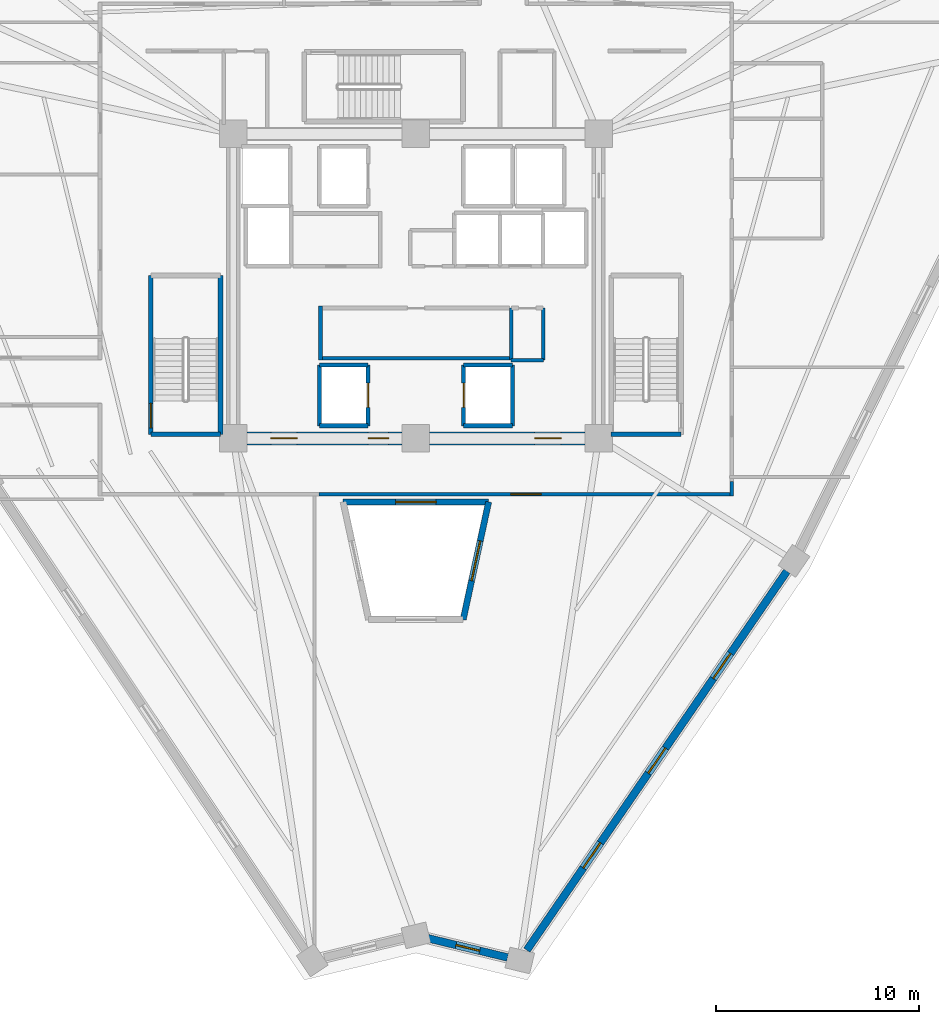
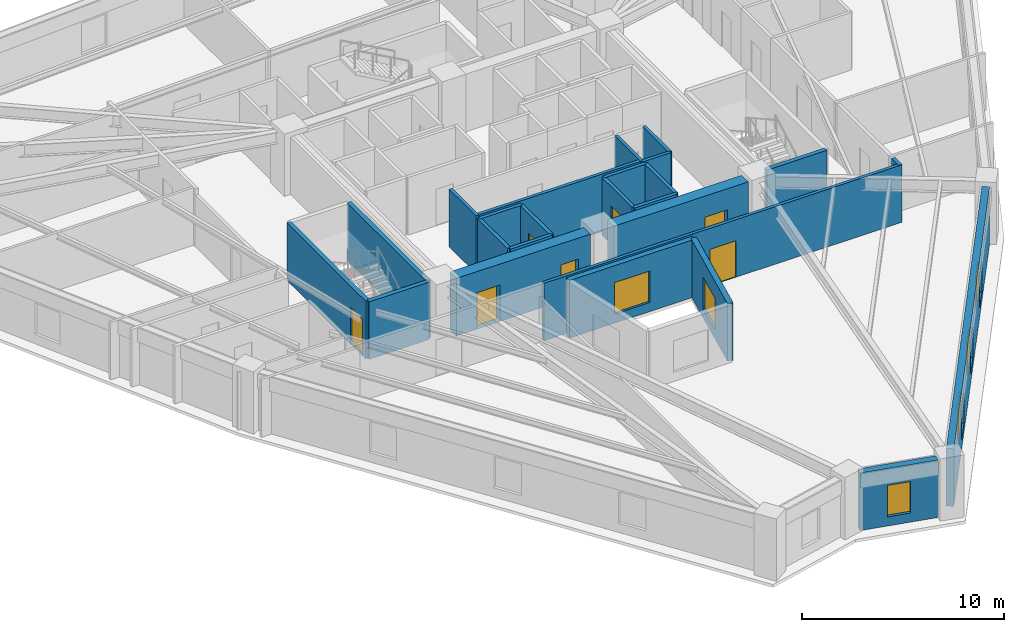
# One storey, part 3 of 8: 25 walls, 7 doors, 6 windows, 13 openings.
"""IFC4 building model written with IfcOpenShell, lengths in metres."""

from ifc_helpers import new_model, si_unit, direction, frame, frame_2d, origin, place, context, subcontext, project, spatial, rectangle, extrude, source, transform, mapped, material, layer, layer_set, type_object, element, fill, save


model = new_model("IFC4")

# Units and contexts
model_context = context("Model", 3, precision=1e-05, world=origin(), true_north=direction((0.0, 1.0)))
body_context = subcontext(model_context, "Body", "Model", "MODEL_VIEW")
ifc_project = project(units=[si_unit("LENGTHUNIT", "METRE"), si_unit("AREAUNIT", "SQUARE_METRE"), si_unit("VOLUMEUNIT", "CUBIC_METRE"), si_unit("PLANEANGLEUNIT", "RADIAN"), si_unit("MASSUNIT", "GRAM", prefix="KILO")], contexts=[model_context])

# Site, building, storey
site_placement = place(None, origin())
site = spatial("IfcSite", under=ifc_project, at=site_placement, CompositionType="ELEMENT")
building_placement = place(site_placement, origin())
building = spatial("IfcBuilding", under=site, at=building_placement, Name="Liaohun Quay Tower", CompositionType="ELEMENT")
storey_placement = place(building_placement, frame((0.0, 0.0, 273.75)))
storey = spatial("IfcBuildingStorey", under=building, at=storey_placement, Name="L71", CompositionType="ELEMENT", Elevation=273.75)

# Wall, opening, window
ifc_material_1 = material(Name="Concrete C50", Category="concrete")
ifc_layer_1 = layer(ifc_material_1, 0.300048828125, Name="Concrete C50", Category="concrete")
ifc_layer_set_1 = layer_set([ifc_layer_1], Name="Concrete C50")
wall_type_1 = type_object("IfcWallType", Name="WAL-ATR-300", PredefinedType="SOLIDWALL", material=ifc_layer_set_1)
wall_1_placement = place(storey_placement, frame((56.416015625, 43.3701171875, 0.0), z_axis=(0.0, 0.0, 1.0), x_axis=(1.0, 0.0, 0.0)))
wall_1 = element("IfcWall", 1, at=wall_1_placement, inside=storey, type_object=wall_type_1, Name="L71 Atrium Fire Compartment Wall 2", PredefinedType="SOLIDWALL", context=body_context, shape_type="SweptSolid", body=[
    extrude(rectangle(XDim=7.16796875, YDim=0.300048828125, at=frame_2d((3.583984375, 0.0))), origin(), (0.0, 0.0, 1.0), 3.469970703125),
])
shared_shape_1 = source(origin(), body_context, "Body", "SweptSolid", [
    extrude(rectangle(XDim=2.0, YDim=1.89990234375, at=frame_2d((1.0, 0.949951171875))), frame((0.0, 0.159912109375, 0.0), z_axis=(0.0, -1.0, 0.0), x_axis=(1.0, 0.0, 0.0)), (0.0, 0.0, 1.0), 0.320068359375),
])
opening_1_placement = place(wall_1_placement, frame((2.583984375, 0.0, 0.550048828125)))
opening_1 = element("IfcOpeningElement", 2, at=opening_1_placement, cuts=wall_1, Name="Opening W07", PredefinedType="OPENING", context=body_context, shape_type="MappedRepresentation", body=[
    mapped(shared_shape_1, transform((0.0, 0.0, 0.0), x_axis=(1.0, 0.0, 0.0), y_axis=(0.0, 1.0, 0.0), z_axis=(0.0, 0.0, 1.0), scale=1.0)),
])
ifc_material_2 = material(Name="Class A 180-min fire-resistant insulated glazing", Category="glass")
window_type_1 = type_object("IfcWindowType", Name="WIN-ATR-FIR", PartitioningType="DOUBLE_PANEL_VERTICAL", PredefinedType="WINDOW", material=ifc_material_2)
shared_shape_2 = source(origin(), body_context, "Body", "SweptSolid", [
    extrude(rectangle(XDim=2.0, YDim=1.89990234375, at=frame_2d((1.0, 0.949951171875))), frame((0.0, 0.030029296875, 0.0), z_axis=(0.0, -1.0, 0.0), x_axis=(1.0, 0.0, 0.0)), (0.0, 0.0, 1.0), 0.06005859375),
])
window_1_placement = place(opening_1_placement, origin())
window_1 = element("IfcWindow", 3, at=window_1_placement, inside=storey, type_object=window_type_1, Name="L71 Atrium Fire-Resistant Glazing W07-2", OverallHeight=1.89990234375, OverallWidth=2.0, PartitioningType="DOUBLE_PANEL_VERTICAL", PredefinedType="WINDOW", context=body_context, shape_type="MappedRepresentation", body=[
    mapped(shared_shape_2, transform((0.0, 0.0, 0.0), x_axis=(1.0, 0.0, 0.0), y_axis=(0.0, 1.0, 0.0), z_axis=(0.0, 0.0, 1.0), scale=1.0)),
])
fill(opening_1, window_1)

wall_2_placement = place(storey_placement, frame((63.583984375, 43.3701171875, 0.0), z_axis=(0.0, 0.0, 1.0), x_axis=(-0.211464510569, -0.977385676573, 0.0)))
wall_2 = element("IfcWall", 4, at=wall_2_placement, inside=storey, type_object=wall_type_1, Name="L71 Atrium Fire Compartment Wall 3", PredefinedType="SOLIDWALL", context=body_context, shape_type="SweptSolid", body=[
    extrude(rectangle(XDim=5.934326171875, YDim=0.300048828125, at=frame_2d((2.96728515625, 0.0))), origin(), (0.0, 0.0, 1.0), 3.469970703125),
])
opening_2_placement = place(wall_2_placement, frame((1.967041015625, 0.0, 0.550048828125)))
opening_2 = element("IfcOpeningElement", 5, at=opening_2_placement, cuts=wall_2, Name="Opening W07", PredefinedType="OPENING", context=body_context, shape_type="MappedRepresentation", body=[
    mapped(shared_shape_1, transform((0.0, 0.0, 0.0), x_axis=(1.0, 0.0, 0.0), y_axis=(0.0, 1.0, 0.0), z_axis=(0.0, 0.0, 1.0), scale=1.0)),
])
window_2_placement = place(opening_2_placement, origin())
window_2 = element("IfcWindow", 6, at=window_2_placement, inside=storey, type_object=window_type_1, Name="L71 Atrium Fire-Resistant Glazing W07-3", OverallHeight=1.89990234375, OverallWidth=2.0, PartitioningType="DOUBLE_PANEL_VERTICAL", PredefinedType="WINDOW", context=body_context, shape_type="MappedRepresentation", body=[
    mapped(shared_shape_2, transform((0.0, 0.0, 0.0), x_axis=(1.0, 0.0, 0.0), y_axis=(0.0, 1.0, 0.0), z_axis=(0.0, 0.0, 1.0), scale=1.0)),
])
fill(opening_2, window_2)

# Wall, opening, door
ifc_material_3 = material(Name="Concrete C55", Category="concrete")
ifc_layer_2 = layer(ifc_material_3, 0.64990234375, Name="Concrete C55", Category="concrete")
ifc_layer_set_2 = layer_set([ifc_layer_2], Name="Concrete C55")
wall_type_2 = type_object("IfcWallType", Name="WAL-COR-Z3", PredefinedType="SHEAR", material=ifc_layer_set_2)
wall_3_placement = place(storey_placement, frame((68.324951171875, 46.5, 0.0), z_axis=(0.0, 0.0, 1.0), x_axis=(-1.0, 0.0, 0.0)))
wall_3 = element("IfcWall", 7, at=wall_3_placement, inside=storey, type_object=wall_type_2, Name="L71 Central Core Shear Wall S-E", PredefinedType="SHEAR", context=body_context, shape_type="SweptSolid", body=[
    extrude(rectangle(XDim=7.64990234375, YDim=0.64990234375, at=frame_2d((3.824951171875, 0.0))), origin(), (0.0, 0.0, 1.0), 3.469970703125),
])
shared_shape_3 = source(origin(), body_context, "Body", "SweptSolid", [
    extrude(rectangle(XDim=1.300048828125, YDim=2.199951171875, at=frame_2d((0.64990234375, 1.10009765625))), frame((0.0, 0.3349609375, 0.0), z_axis=(0.0, -1.0, 0.0), x_axis=(1.0, 0.0, 0.0)), (0.0, 0.0, 1.0), 0.669921875),
])
opening_3_placement = place(wall_3_placement, frame((1.175048828125, 0.0, 0.0)))
opening_3 = element("IfcOpeningElement", 8, at=opening_3_placement, cuts=wall_3, Name="Opening FD1", PredefinedType="OPENING", context=body_context, shape_type="MappedRepresentation", body=[
    mapped(shared_shape_3, transform((0.0, 0.0, 0.0), x_axis=(1.0, 0.0, 0.0), y_axis=(0.0, 1.0, 0.0), z_axis=(0.0, 0.0, 1.0), scale=1.0)),
])
ifc_material_4 = material(Name="Galvanised steel smokeproof fire door", Category="steel")
door_type_1 = type_object("IfcDoorType", Name="DOR-FFL-1300", OperationType="NOTDEFINED", PredefinedType="DOOR", material=ifc_material_4)
shared_shape_4 = source(origin(), body_context, "Body", "SweptSolid", [
    extrude(rectangle(XDim=1.300048828125, YDim=2.199951171875, at=frame_2d((0.64990234375, 1.10009765625))), frame((0.0, 0.02490234375, 0.0), z_axis=(0.0, -1.0, 0.0), x_axis=(1.0, 0.0, 0.0)), (0.0, 0.0, 1.0), 0.050048828125),
])
door_1_placement = place(opening_3_placement, origin())
door_1 = element("IfcDoor", 9, at=door_1_placement, inside=storey, type_object=door_type_1, Name="L71 East Core Lift Lobby Smokeproof Door", OperationType="SINGLE_SWING_LEFT", OverallHeight=2.199951171875, OverallWidth=1.300048828125, PredefinedType="DOOR", context=body_context, shape_type="MappedRepresentation", body=[
    mapped(shared_shape_4, transform((0.0, 0.0, 0.0), x_axis=(1.0, 0.0, 0.0), y_axis=(0.0, 1.0, 0.0), z_axis=(0.0, 0.0, 1.0), scale=1.0)),
])
fill(opening_3, door_1)

# Wall, openings, doors
wall_4_placement = place(storey_placement, frame((59.324951171875, 46.5, 0.0), z_axis=(0.0, 0.0, 1.0), x_axis=(-1.0, 0.0, 0.0)))
wall_4 = element("IfcWall", 10, at=wall_4_placement, inside=storey, type_object=wall_type_2, Name="L71 Central Core Shear Wall S-W", PredefinedType="SHEAR", context=body_context, shape_type="SweptSolid", body=[
    extrude(rectangle(XDim=7.64990234375, YDim=0.64990234375, at=frame_2d((3.824951171875, 0.0))), origin(), (0.0, 0.0, 1.0), 3.469970703125),
])
opening_4_placement = place(wall_4_placement, frame((5.175048828125, 0.0, 0.0)))
opening_4 = element("IfcOpeningElement", 11, at=opening_4_placement, cuts=wall_4, Name="Opening FD1", PredefinedType="OPENING", context=body_context, shape_type="MappedRepresentation", body=[
    mapped(shared_shape_3, transform((0.0, 0.0, 0.0), x_axis=(1.0, 0.0, 0.0), y_axis=(0.0, 1.0, 0.0), z_axis=(0.0, 0.0, 1.0), scale=1.0)),
])
shared_shape_5 = source(origin(), body_context, "Body", "SweptSolid", [
    extrude(rectangle(XDim=1.0, YDim=2.199951171875, at=frame_2d((0.5, 1.10009765625))), frame((0.0, 0.3349609375, 0.0), z_axis=(0.0, -1.0, 0.0), x_axis=(1.0, 0.0, 0.0)), (0.0, 0.0, 1.0), 0.669921875),
])
opening_5_placement = place(wall_4_placement, frame((0.675048828125, 0.0, 0.0)))
opening_5 = element("IfcOpeningElement", 12, at=opening_5_placement, cuts=wall_4, Name="Opening FD2", PredefinedType="OPENING", context=body_context, shape_type="MappedRepresentation", body=[
    mapped(shared_shape_5, transform((0.0, 0.0, 0.0), x_axis=(1.0, 0.0, 0.0), y_axis=(0.0, 1.0, 0.0), z_axis=(0.0, 0.0, 1.0), scale=1.0)),
])
door_2_placement = place(opening_4_placement, origin())
door_2 = element("IfcDoor", 13, at=door_2_placement, inside=storey, type_object=door_type_1, Name="L71 West Core Lift Lobby Smokeproof Door", OperationType="SINGLE_SWING_RIGHT", OverallHeight=2.199951171875, OverallWidth=1.300048828125, PredefinedType="DOOR", context=body_context, shape_type="MappedRepresentation", body=[
    mapped(shared_shape_4, transform((0.0, 0.0, 0.0), x_axis=(1.0, 0.0, 0.0), y_axis=(0.0, 1.0, 0.0), z_axis=(0.0, 0.0, 1.0), scale=1.0)),
])
fill(opening_4, door_2)
ifc_material_5 = material(Name="Galvanised steel smokeproof lobby fire door", Category="steel")
door_type_2 = type_object("IfcDoorType", Name="DOR-FFL-1000", OperationType="NOTDEFINED", PredefinedType="DOOR", material=ifc_material_5)
shared_shape_6 = source(origin(), body_context, "Body", "SweptSolid", [
    extrude(rectangle(XDim=1.0, YDim=2.199951171875, at=frame_2d((0.5, 1.10009765625))), frame((0.0, 0.02490234375, 0.0), z_axis=(0.0, -1.0, 0.0), x_axis=(1.0, 0.0, 0.0)), (0.0, 0.0, 1.0), 0.050048828125),
])
door_3_placement = place(opening_5_placement, origin())
door_3 = element("IfcDoor", 14, at=door_3_placement, inside=storey, type_object=door_type_2, Name="L71 South Firefighting Lobby Smokeproof Door", OperationType="SINGLE_SWING_LEFT", OverallHeight=2.199951171875, OverallWidth=1.0, PredefinedType="DOOR", context=body_context, shape_type="MappedRepresentation", body=[
    mapped(shared_shape_6, transform((0.0, 0.0, 0.0), x_axis=(1.0, 0.0, 0.0), y_axis=(0.0, 1.0, 0.0), z_axis=(0.0, 0.0, 1.0), scale=1.0)),
])
fill(opening_5, door_3)

# Wall, opening, window
ifc_material_6 = material(Name="Precast concrete C50 insulated sandwich", Category="concrete")
ifc_layer_3 = layer(ifc_material_6, 0.3798828125, Name="Precast concrete C50 insulated sandwich", Category="concrete")
ifc_layer_set_3 = layer_set([ifc_layer_3], Name="Precast concrete C50 insulated sandwich")
wall_type_3 = type_object("IfcWallType", Name="WAL-EXT-Z34", PredefinedType="SOLIDWALL", material=ifc_layer_set_3)
wall_5_placement = place(storey_placement, frame((60.597900390625, 21.873046875, 0.0), z_axis=(0.0, 0.0, 1.0), x_axis=(0.972038387523, -0.234822003189, 0.0)))
wall_5 = element("IfcWall", 15, at=wall_5_placement, inside=storey, type_object=wall_type_3, Name="L71 Brutalist Precast Pier Wall 01", PredefinedType="SOLIDWALL", context=body_context, shape_type="SweptSolid", body=[
    extrude(rectangle(XDim=4.032958984375, YDim=0.3798828125, at=frame_2d((2.0166015625, 0.0))), origin(), (0.0, 0.0, 1.0), 3.469970703125),
])
shared_shape_7 = source(origin(), body_context, "Body", "SweptSolid", [
    extrude(rectangle(XDim=1.199951171875, YDim=1.89990234375, at=frame_2d((0.60009765625, 0.949951171875))), frame((0.0, 0.199951171875, 0.0), z_axis=(0.0, -1.0, 0.0), x_axis=(1.0, 0.0, 0.0)), (0.0, 0.0, 1.0), 0.39990234375),
])
opening_6_placement = place(wall_5_placement, frame((1.416015625, 0.0, 0.550048828125)))
opening_6 = element("IfcOpeningElement", 16, at=opening_6_placement, cuts=wall_5, Name="Opening W05", PredefinedType="OPENING", context=body_context, shape_type="MappedRepresentation", body=[
    mapped(shared_shape_7, transform((0.0, 0.0, 0.0), x_axis=(1.0, 0.0, 0.0), y_axis=(0.0, 1.0, 0.0), z_axis=(0.0, 0.0, 1.0), scale=1.0)),
])
ifc_material_7 = material(Name="Triple Low-E corner notch glazing", Category="glass")
window_type_2 = type_object("IfcWindowType", Name="WIN-NOTCH", PartitioningType="SINGLE_PANEL", PredefinedType="WINDOW", material=ifc_material_7)
shared_shape_8 = source(origin(), body_context, "Body", "SweptSolid", [
    extrude(rectangle(XDim=1.199951171875, YDim=1.89990234375, at=frame_2d((0.60009765625, 0.949951171875))), frame((0.0, 0.030029296875, 0.0), z_axis=(0.0, -1.0, 0.0), x_axis=(1.0, 0.0, 0.0)), (0.0, 0.0, 1.0), 0.06005859375),
])
window_3_placement = place(opening_6_placement, origin())
window_3 = element("IfcWindow", 17, at=window_3_placement, inside=storey, type_object=window_type_2, Name="L71 Corner Notch Window W05-01", OverallHeight=1.89990234375, OverallWidth=1.199951171875, PartitioningType="SINGLE_PANEL", PredefinedType="WINDOW", context=body_context, shape_type="MappedRepresentation", body=[
    mapped(shared_shape_8, transform((0.0, 0.0, 0.0), x_axis=(1.0, 0.0, 0.0), y_axis=(0.0, 1.0, 0.0), z_axis=(0.0, 0.0, 1.0), scale=1.0)),
])
fill(opening_6, window_3)

# Wall, openings, windows
wall_6_placement = place(storey_placement, frame((65.464111328125, 21.2890625, 0.0), z_axis=(0.0, 0.0, 1.0), x_axis=(0.565931900147, 0.824451990352, 0.0)))
wall_6 = element("IfcWall", 18, at=wall_6_placement, inside=storey, type_object=wall_type_3, Name="L71 Brutalist Precast Pier Wall 02", PredefinedType="SOLIDWALL", context=body_context, shape_type="SweptSolid", body=[
    extrude(rectangle(XDim=22.640625, YDim=0.3798828125, at=frame_2d((11.3203125, 0.0))), origin(), (0.0, 0.0, 1.0), 3.469970703125),
])
shared_shape_9 = source(origin(), body_context, "Body", "SweptSolid", [
    extrude(rectangle(XDim=1.5, YDim=1.89990234375, at=frame_2d((0.75, 0.949951171875))), frame((0.0, 0.199951171875, 0.0), z_axis=(0.0, -1.0, 0.0), x_axis=(1.0, 0.0, 0.0)), (0.0, 0.0, 1.0), 0.39990234375),
])
opening_7_placement = place(wall_6_placement, frame((4.909912109375, 0.0, 0.550048828125)))
opening_7 = element("IfcOpeningElement", 19, at=opening_7_placement, cuts=wall_6, Name="Opening W03", PredefinedType="OPENING", context=body_context, shape_type="MappedRepresentation", body=[
    mapped(shared_shape_9, transform((0.0, 0.0, 0.0), x_axis=(1.0, 0.0, 0.0), y_axis=(0.0, 1.0, 0.0), z_axis=(0.0, 0.0, 1.0), scale=1.0)),
])
opening_8_placement = place(wall_6_placement, frame((10.570068359375, 0.0, 0.550048828125)))
opening_8 = element("IfcOpeningElement", 20, at=opening_8_placement, cuts=wall_6, Name="Opening W03", PredefinedType="OPENING", context=body_context, shape_type="MappedRepresentation", body=[
    mapped(shared_shape_9, transform((0.0, 0.0, 0.0), x_axis=(1.0, 0.0, 0.0), y_axis=(0.0, 1.0, 0.0), z_axis=(0.0, 0.0, 1.0), scale=1.0)),
])
opening_9_placement = place(wall_6_placement, frame((16.22998046875, 0.0, 0.550048828125)))
opening_9 = element("IfcOpeningElement", 21, at=opening_9_placement, cuts=wall_6, Name="Opening W03", PredefinedType="OPENING", context=body_context, shape_type="MappedRepresentation", body=[
    mapped(shared_shape_9, transform((0.0, 0.0, 0.0), x_axis=(1.0, 0.0, 0.0), y_axis=(0.0, 1.0, 0.0), z_axis=(0.0, 0.0, 1.0), scale=1.0)),
])
ifc_material_8 = material(Name="Triple Low-E argon glazing in thermally broken aluminium", Category="aluminium")
window_type_3 = type_object("IfcWindowType", Name="WIN-PUN-Z3", PartitioningType="DOUBLE_PANEL_VERTICAL", PredefinedType="WINDOW", material=ifc_material_8)
shared_shape_10 = source(origin(), body_context, "Body", "SweptSolid", [
    extrude(rectangle(XDim=1.5, YDim=1.89990234375, at=frame_2d((0.75, 0.949951171875))), frame((0.0, 0.030029296875, 0.0), z_axis=(0.0, -1.0, 0.0), x_axis=(1.0, 0.0, 0.0)), (0.0, 0.0, 1.0), 0.06005859375),
])
window_4_placement = place(opening_7_placement, origin())
window_4 = element("IfcWindow", 22, at=window_4_placement, inside=storey, type_object=window_type_3, Name="L71 Recessed Cold-Climate Punched Window 02-1", OverallHeight=1.89990234375, OverallWidth=1.5, PartitioningType="DOUBLE_PANEL_VERTICAL", PredefinedType="WINDOW", context=body_context, shape_type="MappedRepresentation", body=[
    mapped(shared_shape_10, transform((0.0, 0.0, 0.0), x_axis=(1.0, 0.0, 0.0), y_axis=(0.0, 1.0, 0.0), z_axis=(0.0, 0.0, 1.0), scale=1.0)),
])
fill(opening_7, window_4)
window_5_placement = place(opening_8_placement, origin())
window_5 = element("IfcWindow", 23, at=window_5_placement, inside=storey, type_object=window_type_3, Name="L71 Recessed Cold-Climate Punched Window 02-2", OverallHeight=1.89990234375, OverallWidth=1.5, PartitioningType="DOUBLE_PANEL_VERTICAL", PredefinedType="WINDOW", context=body_context, shape_type="MappedRepresentation", body=[
    mapped(shared_shape_10, transform((0.0, 0.0, 0.0), x_axis=(1.0, 0.0, 0.0), y_axis=(0.0, 1.0, 0.0), z_axis=(0.0, 0.0, 1.0), scale=1.0)),
])
fill(opening_8, window_5)
window_6_placement = place(opening_9_placement, origin())
window_6 = element("IfcWindow", 24, at=window_6_placement, inside=storey, type_object=window_type_3, Name="L71 Recessed Cold-Climate Punched Window 02-3", OverallHeight=1.89990234375, OverallWidth=1.5, PartitioningType="DOUBLE_PANEL_VERTICAL", PredefinedType="WINDOW", context=body_context, shape_type="MappedRepresentation", body=[
    mapped(shared_shape_10, transform((0.0, 0.0, 0.0), x_axis=(1.0, 0.0, 0.0), y_axis=(0.0, 1.0, 0.0), z_axis=(0.0, 0.0, 1.0), scale=1.0)),
])
fill(opening_9, window_6)

# Wall, opening, door
ifc_material_9 = material(Name="Autoclaved aerated concrete blockwork", Category="masonry")
ifc_layer_4 = layer(ifc_material_9, 0.179931640625, Name="Autoclaved aerated concrete blockwork", Category="masonry")
ifc_layer_set_4 = layer_set([ifc_layer_4], Name="Autoclaved aerated concrete blockwork")
wall_type_4 = type_object("IfcWallType", Name="WAL-PRT-COR", PredefinedType="PARTITIONING", material=ifc_layer_set_4)
wall_7_placement = place(storey_placement, frame((75.6298828125, 43.739990234375, 0.0), z_axis=(0.0, 0.0, 1.0), x_axis=(-1.0, 0.0, 0.0)))
wall_7 = element("IfcWall", 25, at=wall_7_placement, inside=storey, type_object=wall_type_4, Name="L71 Interior Partition Wall 022", PredefinedType="PARTITIONING", context=body_context, shape_type="SweptSolid", body=[
    extrude(rectangle(XDim=20.414794921875, YDim=0.179931640625, at=frame_2d((10.20751953125, 0.0))), origin(), (0.0, 0.0, 1.0), 3.469970703125),
])
shared_shape_11 = source(origin(), body_context, "Body", "SweptSolid", [
    extrude(rectangle(XDim=1.5, YDim=2.199951171875, at=frame_2d((0.75, 1.10009765625))), frame((0.0, 0.099853515625, 0.0), z_axis=(0.0, -1.0, 0.0), x_axis=(1.0, 0.0, 0.0)), (0.0, 0.0, 1.0), 0.199951171875),
])
opening_10_placement = place(wall_7_placement, frame((9.45703125, 0.0, 0.0)))
opening_10 = element("IfcOpeningElement", 26, at=opening_10_placement, cuts=wall_7, Name="Opening OD2", PredefinedType="OPENING", context=body_context, shape_type="MappedRepresentation", body=[
    mapped(shared_shape_11, transform((0.0, 0.0, 0.0), x_axis=(1.0, 0.0, 0.0), y_axis=(0.0, 1.0, 0.0), z_axis=(0.0, 0.0, 1.0), scale=1.0)),
])
ifc_material_10 = material(Name="Acoustic oak veneer double door")
door_type_3 = type_object("IfcDoorType", Name="DOR-OFF-1500", OperationType="DOUBLE_DOOR_SINGLE_SWING", PredefinedType="DOOR", material=ifc_material_10)
shared_shape_12 = source(origin(), body_context, "Body", "SweptSolid", [
    extrude(rectangle(XDim=1.5, YDim=2.199951171875, at=frame_2d((0.75, 1.10009765625))), frame((0.0, 0.02490234375, 0.0), z_axis=(0.0, -1.0, 0.0), x_axis=(1.0, 0.0, 0.0)), (0.0, 0.0, 1.0), 0.050048828125),
])
door_4_placement = place(opening_10_placement, origin())
door_4 = element("IfcDoor", 27, at=door_4_placement, inside=storey, type_object=door_type_3, Name="L71 Executive Partner Office 11 Door", OperationType="DOUBLE_DOOR_SINGLE_SWING", OverallHeight=2.199951171875, OverallWidth=1.5, PredefinedType="DOOR", context=body_context, shape_type="MappedRepresentation", body=[
    mapped(shared_shape_12, transform((0.0, 0.0, 0.0), x_axis=(1.0, 0.0, 0.0), y_axis=(0.0, 1.0, 0.0), z_axis=(0.0, 0.0, 1.0), scale=1.0)),
])
fill(opening_10, door_4)

# Walls
wall_8_placement = place(storey_placement, frame((64.68994140625, 50.35009765625, 0.0), z_axis=(0.0, 0.0, 1.0), x_axis=(0.0, 1.0, 0.0)))
element("IfcWall", 28, at=wall_8_placement, inside=storey, type_object=wall_type_4, Name="L71 Interior Partition Wall 026", PredefinedType="PARTITIONING", context=body_context, shape_type="SweptSolid", body=[
    extrude(rectangle(XDim=2.56982421875, YDim=0.179931640625, at=frame_2d((1.284912109375, 0.0))), origin(), (0.0, 0.0, 1.0), 3.469970703125),
])
wall_9_placement = place(storey_placement, frame((64.68994140625, 50.35009765625, 0.0), z_axis=(0.0, 0.0, 1.0), x_axis=(1.0, 0.0, 0.0)))
element("IfcWall", 29, at=wall_9_placement, inside=storey, type_object=wall_type_4, Name="L71 Interior Partition Wall 027", PredefinedType="PARTITIONING", context=body_context, shape_type="SweptSolid", body=[
    extrude(rectangle(XDim=1.590087890625, YDim=0.179931640625, at=frame_2d((0.794921875, 0.0))), origin(), (0.0, 0.0, 1.0), 3.469970703125),
])
wall_10_placement = place(storey_placement, frame((66.280029296875, 50.35009765625, 0.0), z_axis=(0.0, 0.0, 1.0), x_axis=(0.0, 1.0, 0.0)))
element("IfcWall", 30, at=wall_10_placement, inside=storey, type_object=wall_type_4, Name="L71 Interior Partition Wall 028", PredefinedType="PARTITIONING", context=body_context, shape_type="SweptSolid", body=[
    extrude(rectangle(XDim=2.56982421875, YDim=0.179931640625, at=frame_2d((1.284912109375, 0.0))), origin(), (0.0, 0.0, 1.0), 3.469970703125),
])
wall_11_placement = place(storey_placement, frame((75.56005859375, 44.385009765625, 0.0), z_axis=(0.0, 0.0, 1.0), x_axis=(0.0, -1.0, 0.0)))
element("IfcWall", 31, at=wall_11_placement, inside=storey, type_object=wall_type_4, Name="L71 Interior Partition Wall 046", PredefinedType="PARTITIONING", context=body_context, shape_type="SweptSolid", body=[
    extrude(rectangle(XDim=0.715087890625, YDim=0.179931640625, at=frame_2d((0.357421875, 0.0))), origin(), (0.0, 0.0, 1.0), 3.469970703125),
])
wall_12_placement = place(storey_placement, frame((55.300048828125, 50.360107421875, 0.0), z_axis=(0.0, 0.0, 1.0), x_axis=(0.0, 1.0, 0.0)))
element("IfcWall", 32, at=wall_12_placement, inside=storey, type_object=wall_type_4, Name="L71 Interior Partition Wall 058", PredefinedType="PARTITIONING", context=body_context, shape_type="SweptSolid", body=[
    extrude(rectangle(XDim=2.64990234375, YDim=0.179931640625, at=frame_2d((1.324951171875, 0.0))), origin(), (0.0, 0.0, 1.0), 3.469970703125),
])
wall_13_placement = place(storey_placement, frame((55.389892578125, 50.449951171875, 0.0), z_axis=(0.0, 0.0, 1.0), x_axis=(1.0, 0.0, 0.0)))
element("IfcWall", 33, at=wall_13_placement, inside=storey, type_object=wall_type_4, Name="L71 Interior Partition Wall 059", PredefinedType="PARTITIONING", context=body_context, shape_type="SweptSolid", body=[
    extrude(rectangle(XDim=9.210205078125, YDim=0.179931640625, at=frame_2d((4.60498046875, 0.0))), origin(), (0.0, 0.0, 1.0), 3.469970703125),
])
ifc_layer_5 = layer(ifc_material_1, 0.239990234375, Name="Concrete C50", Category="concrete")
ifc_layer_set_5 = layer_set([ifc_layer_5], Name="Concrete C50")
wall_type_5 = type_object("IfcWallType", Name="WAL-SHF-200", PredefinedType="SOLIDWALL", material=ifc_layer_set_5)
wall_14_placement = place(storey_placement, frame((46.93994140625, 46.699951171875, 0.0), z_axis=(0.0, 0.0, 1.0), x_axis=(1.0, 0.0, 0.0)))
element("IfcWall", 34, at=wall_14_placement, inside=storey, type_object=wall_type_5, Name="L71 Stairwell ST-1 Structural Core Wall S", PredefinedType="SOLIDWALL", context=body_context, shape_type="SweptSolid", body=[
    extrude(rectangle(XDim=3.43994140625, YDim=0.239990234375, at=frame_2d((1.719970703125, 0.0))), origin(), (0.0, 0.0, 1.0), 3.469970703125),
])
wall_15_placement = place(storey_placement, frame((50.3798828125, 46.699951171875, 0.0), z_axis=(0.0, 0.0, 1.0), x_axis=(0.0, 1.0, 0.0)))
element("IfcWall", 35, at=wall_15_placement, inside=storey, type_object=wall_type_5, Name="L71 Stairwell ST-1 Structural Core Wall E", PredefinedType="SOLIDWALL", context=body_context, shape_type="SweptSolid", body=[
    extrude(rectangle(XDim=7.820068359375, YDim=0.239990234375, at=frame_2d((3.91015625, 0.0))), origin(), (0.0, 0.0, 1.0), 3.469970703125),
])

# Wall, opening, door
wall_16_placement = place(storey_placement, frame((46.93994140625, 54.52001953125, 0.0), z_axis=(0.0, 0.0, 1.0), x_axis=(0.0, -1.0, 0.0)))
wall_16 = element("IfcWall", 36, at=wall_16_placement, inside=storey, type_object=wall_type_5, Name="L71 Stairwell ST-1 Structural Core Wall W", PredefinedType="SOLIDWALL", context=body_context, shape_type="SweptSolid", body=[
    extrude(rectangle(XDim=7.820068359375, YDim=0.239990234375, at=frame_2d((3.91015625, 0.0))), origin(), (0.0, 0.0, 1.0), 3.469970703125),
])
shared_shape_13 = source(origin(), body_context, "Body", "SweptSolid", [
    extrude(rectangle(XDim=1.199951171875, YDim=2.199951171875, at=frame_2d((0.60009765625, 1.10009765625))), frame((0.0, 0.1298828125, 0.0), z_axis=(0.0, -1.0, 0.0), x_axis=(1.0, 0.0, 0.0)), (0.0, 0.0, 1.0), 0.260009765625),
])
opening_11_placement = place(wall_16_placement, frame((6.300048828125, 0.0, 0.0)))
opening_11 = element("IfcOpeningElement", 37, at=opening_11_placement, cuts=wall_16, Name="Opening SD1", PredefinedType="OPENING", context=body_context, shape_type="MappedRepresentation", body=[
    mapped(shared_shape_13, transform((0.0, 0.0, 0.0), x_axis=(1.0, 0.0, 0.0), y_axis=(0.0, 1.0, 0.0), z_axis=(0.0, 0.0, 1.0), scale=1.0)),
])
ifc_material_11 = material(Name="Galvanised steel fire door", Category="steel")
door_type_4 = type_object("IfcDoorType", Name="DOR-STR-1200", OperationType="NOTDEFINED", PredefinedType="DOOR", material=ifc_material_11)
shared_shape_14 = source(origin(), body_context, "Body", "SweptSolid", [
    extrude(rectangle(XDim=1.199951171875, YDim=2.199951171875, at=frame_2d((0.60009765625, 1.10009765625))), frame((0.0, 0.02490234375, 0.0), z_axis=(0.0, -1.0, 0.0), x_axis=(1.0, 0.0, 0.0)), (0.0, 0.0, 1.0), 0.050048828125),
])
door_5_placement = place(opening_11_placement, origin())
door_5 = element("IfcDoor", 38, at=door_5_placement, inside=storey, type_object=door_type_4, Name="L71 Protected Stair ST-1 Fire Door", OperationType="SINGLE_SWING_LEFT", OverallHeight=2.199951171875, OverallWidth=1.199951171875, PredefinedType="DOOR", context=body_context, shape_type="MappedRepresentation", body=[
    mapped(shared_shape_14, transform((0.0, 0.0, 0.0), x_axis=(1.0, 0.0, 0.0), y_axis=(0.0, 1.0, 0.0), z_axis=(0.0, 0.0, 1.0), scale=1.0)),
])
fill(opening_11, door_5)

# Walls
wall_17_placement = place(storey_placement, frame((69.6201171875, 46.699951171875, 0.0), z_axis=(0.0, 0.0, 1.0), x_axis=(1.0, 0.0, 0.0)))
element("IfcWall", 39, at=wall_17_placement, inside=storey, type_object=wall_type_5, Name="L71 Stairwell ST-2 Structural Core Wall S", PredefinedType="SOLIDWALL", context=body_context, shape_type="SweptSolid", body=[
    extrude(rectangle(XDim=3.43994140625, YDim=0.239990234375, at=frame_2d((1.719970703125, 0.0))), origin(), (0.0, 0.0, 1.0), 3.469970703125),
])
wall_18_placement = place(storey_placement, frame((55.25, 47.1201171875, 0.0), z_axis=(0.0, 0.0, 1.0), x_axis=(1.0, 0.0, 0.0)))
element("IfcWall", 40, at=wall_18_placement, inside=storey, type_object=wall_type_5, Name="L71 Lift FF-01 Hoistway Wall S", PredefinedType="SOLIDWALL", context=body_context, shape_type="SweptSolid", body=[
    extrude(rectangle(XDim=2.39990234375, YDim=0.199951171875, at=frame_2d((1.199951171875, 0.0))), origin(), (0.0, 0.0, 1.0), 3.469970703125),
])

# Wall, opening, door
wall_19_placement = place(storey_placement, frame((57.64990234375, 47.1201171875, 0.0), z_axis=(0.0, 0.0, 1.0), x_axis=(0.0, 1.0, 0.0)))
wall_19 = element("IfcWall", 41, at=wall_19_placement, inside=storey, type_object=wall_type_5, Name="L71 Lift FF-01 Hoistway Wall E", PredefinedType="SOLIDWALL", context=body_context, shape_type="SweptSolid", body=[
    extrude(rectangle(XDim=3.0, YDim=0.199951171875, at=frame_2d((1.5, 0.0))), origin(), (0.0, 0.0, 1.0), 3.469970703125),
])
shared_shape_15 = source(origin(), body_context, "Body", "SweptSolid", [
    extrude(rectangle(XDim=1.199951171875, YDim=2.300048828125, at=frame_2d((0.60009765625, 1.14990234375))), frame((0.0, 0.10986328125, 0.0), z_axis=(0.0, -1.0, 0.0), x_axis=(1.0, 0.0, 0.0)), (0.0, 0.0, 1.0), 0.219970703125),
])
opening_12_placement = place(wall_19_placement, frame((0.89990234375, 0.0, 0.0)))
opening_12 = element("IfcOpeningElement", 42, at=opening_12_placement, cuts=wall_19, Name="Opening LD2", PredefinedType="OPENING", context=body_context, shape_type="MappedRepresentation", body=[
    mapped(shared_shape_15, transform((0.0, 0.0, 0.0), x_axis=(1.0, 0.0, 0.0), y_axis=(0.0, 1.0, 0.0), z_axis=(0.0, 0.0, 1.0), scale=1.0)),
])
ifc_material_12 = material(Name="Brushed stainless steel stretcher landing door", Category="steel")
door_type_5 = type_object("IfcDoorType", Name="DOR-LFT-1200", OperationType="SLIDING_TO_LEFT", PredefinedType="DOOR", material=ifc_material_12)
shared_shape_16 = source(origin(), body_context, "Body", "SweptSolid", [
    extrude(rectangle(XDim=1.199951171875, YDim=2.300048828125, at=frame_2d((0.60009765625, 1.14990234375))), frame((0.0, 0.02490234375, 0.0), z_axis=(0.0, -1.0, 0.0), x_axis=(1.0, 0.0, 0.0)), (0.0, 0.0, 1.0), 0.050048828125),
])
door_6_placement = place(opening_12_placement, origin())
door_6 = element("IfcDoor", 43, at=door_6_placement, inside=storey, type_object=door_type_5, Name="L71 Lift FF-01 Sliding Landing Door", OperationType="SLIDING_TO_LEFT", OverallHeight=2.300048828125, OverallWidth=1.199951171875, PredefinedType="DOOR", context=body_context, shape_type="MappedRepresentation", body=[
    mapped(shared_shape_16, transform((0.0, 0.0, 0.0), x_axis=(1.0, 0.0, 0.0), y_axis=(0.0, 1.0, 0.0), z_axis=(0.0, 0.0, 1.0), scale=1.0)),
])
fill(opening_12, door_6)

# Walls
wall_20_placement = place(storey_placement, frame((57.64990234375, 50.1201171875, 0.0), z_axis=(0.0, 0.0, 1.0), x_axis=(-1.0, 0.0, 0.0)))
element("IfcWall", 44, at=wall_20_placement, inside=storey, type_object=wall_type_5, Name="L71 Lift FF-01 Hoistway Wall N", PredefinedType="SOLIDWALL", context=body_context, shape_type="SweptSolid", body=[
    extrude(rectangle(XDim=2.39990234375, YDim=0.199951171875, at=frame_2d((1.199951171875, 0.0))), origin(), (0.0, 0.0, 1.0), 3.469970703125),
])
wall_21_placement = place(storey_placement, frame((55.25, 50.1201171875, 0.0), z_axis=(0.0, 0.0, 1.0), x_axis=(0.0, -1.0, 0.0)))
element("IfcWall", 45, at=wall_21_placement, inside=storey, type_object=wall_type_5, Name="L71 Lift FF-01 Hoistway Wall W", PredefinedType="SOLIDWALL", context=body_context, shape_type="SweptSolid", body=[
    extrude(rectangle(XDim=3.0, YDim=0.199951171875, at=frame_2d((1.5, 0.0))), origin(), (0.0, 0.0, 1.0), 3.469970703125),
])
wall_22_placement = place(storey_placement, frame((62.35009765625, 47.1201171875, 0.0), z_axis=(0.0, 0.0, 1.0), x_axis=(1.0, 0.0, 0.0)))
element("IfcWall", 46, at=wall_22_placement, inside=storey, type_object=wall_type_5, Name="L71 Lift FF-02 Hoistway Wall S", PredefinedType="SOLIDWALL", context=body_context, shape_type="SweptSolid", body=[
    extrude(rectangle(XDim=2.39990234375, YDim=0.199951171875, at=frame_2d((1.199951171875, 0.0))), origin(), (0.0, 0.0, 1.0), 3.469970703125),
])
wall_23_placement = place(storey_placement, frame((64.75, 47.1201171875, 0.0), z_axis=(0.0, 0.0, 1.0), x_axis=(0.0, 1.0, 0.0)))
element("IfcWall", 47, at=wall_23_placement, inside=storey, type_object=wall_type_5, Name="L71 Lift FF-02 Hoistway Wall E", PredefinedType="SOLIDWALL", context=body_context, shape_type="SweptSolid", body=[
    extrude(rectangle(XDim=3.0, YDim=0.199951171875, at=frame_2d((1.5, 0.0))), origin(), (0.0, 0.0, 1.0), 3.469970703125),
])
wall_24_placement = place(storey_placement, frame((64.75, 50.1201171875, 0.0), z_axis=(0.0, 0.0, 1.0), x_axis=(-1.0, 0.0, 0.0)))
element("IfcWall", 48, at=wall_24_placement, inside=storey, type_object=wall_type_5, Name="L71 Lift FF-02 Hoistway Wall N", PredefinedType="SOLIDWALL", context=body_context, shape_type="SweptSolid", body=[
    extrude(rectangle(XDim=2.39990234375, YDim=0.199951171875, at=frame_2d((1.199951171875, 0.0))), origin(), (0.0, 0.0, 1.0), 3.469970703125),
])

# Wall, opening, door
wall_25_placement = place(storey_placement, frame((62.35009765625, 50.1201171875, 0.0), z_axis=(0.0, 0.0, 1.0), x_axis=(0.0, -1.0, 0.0)))
wall_25 = element("IfcWall", 49, at=wall_25_placement, inside=storey, type_object=wall_type_5, Name="L71 Lift FF-02 Hoistway Wall W", PredefinedType="SOLIDWALL", context=body_context, shape_type="SweptSolid", body=[
    extrude(rectangle(XDim=3.0, YDim=0.199951171875, at=frame_2d((1.5, 0.0))), origin(), (0.0, 0.0, 1.0), 3.469970703125),
])
opening_13_placement = place(wall_25_placement, frame((0.89990234375, 0.0, 0.0)))
opening_13 = element("IfcOpeningElement", 50, at=opening_13_placement, cuts=wall_25, Name="Opening LD2", PredefinedType="OPENING", context=body_context, shape_type="MappedRepresentation", body=[
    mapped(shared_shape_15, transform((0.0, 0.0, 0.0), x_axis=(1.0, 0.0, 0.0), y_axis=(0.0, 1.0, 0.0), z_axis=(0.0, 0.0, 1.0), scale=1.0)),
])
door_7_placement = place(opening_13_placement, origin())
door_7 = element("IfcDoor", 51, at=door_7_placement, inside=storey, type_object=door_type_5, Name="L71 Lift FF-02 Sliding Landing Door", OperationType="SLIDING_TO_LEFT", OverallHeight=2.300048828125, OverallWidth=1.199951171875, PredefinedType="DOOR", context=body_context, shape_type="MappedRepresentation", body=[
    mapped(shared_shape_16, transform((0.0, 0.0, 0.0), x_axis=(1.0, 0.0, 0.0), y_axis=(0.0, 1.0, 0.0), z_axis=(0.0, 0.0, 1.0), scale=1.0)),
])
fill(opening_13, door_7)

save(model, "model.ifc")
